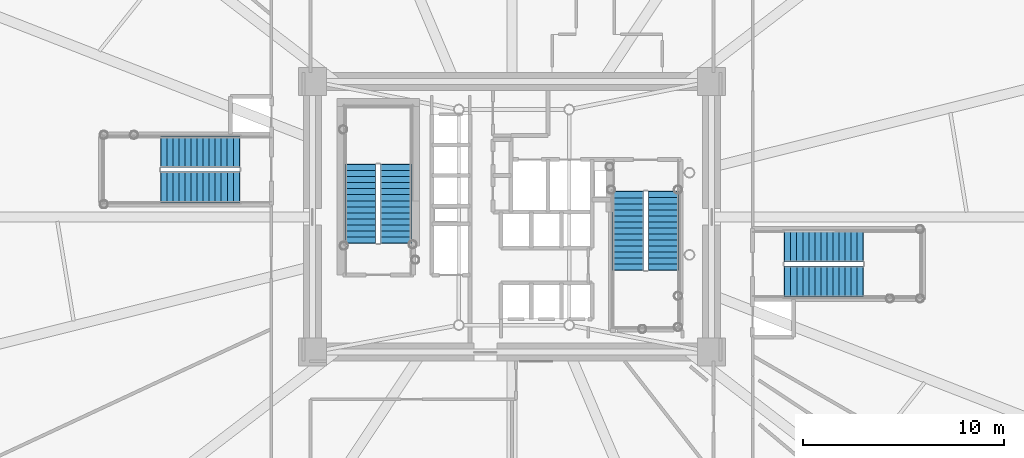
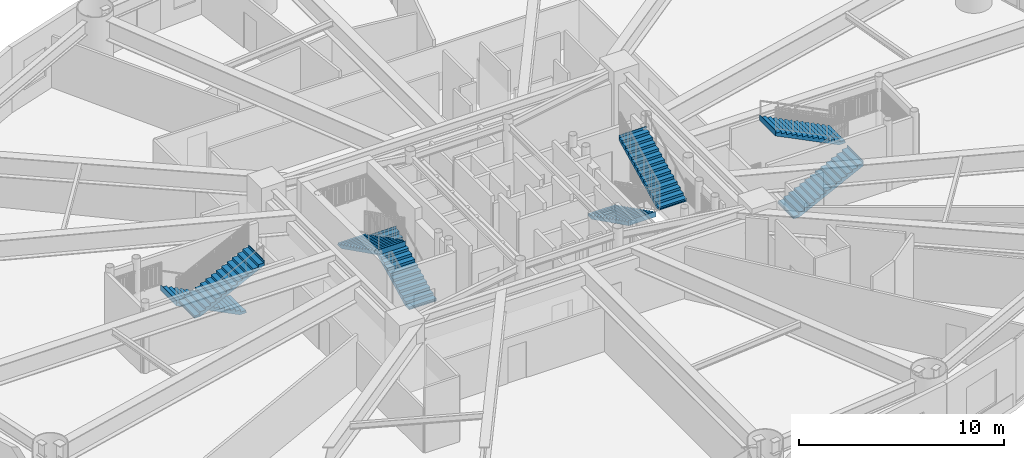
# One storey, part 17 of 27: 8 stair flights, 4 elements without a shape of their own.
"""IFC4 building model written with IfcOpenShell, lengths in metres."""

from ifc_helpers import new_model, si_unit, direction, frame, origin, place, context, subcontext, project, spatial, polyline, outline, extrude, source, transform, mapped, material, type_object, element, aggregate, save


model = new_model("IFC4")

# Units and contexts
model_context = context("Model", 3, precision=1e-05, world=origin(), true_north=direction((0.0, 1.0)))
body_context = subcontext(model_context, "Body", "Model", "MODEL_VIEW")
ifc_project = project(units=[si_unit("LENGTHUNIT", "METRE"), si_unit("AREAUNIT", "SQUARE_METRE"), si_unit("VOLUMEUNIT", "CUBIC_METRE"), si_unit("PLANEANGLEUNIT", "RADIAN"), si_unit("MASSUNIT", "GRAM", prefix="KILO")], contexts=[model_context])

# Site, building, storey
site_placement = place(None, origin())
site = spatial("IfcSite", under=ifc_project, at=site_placement, CompositionType="ELEMENT")
building_placement = place(site_placement, origin())
building = spatial("IfcBuilding", under=site, at=building_placement, Name="Linh Dai School and Residence Tower", CompositionType="ELEMENT")
storey_placement = place(building_placement, frame((0.0, 0.0, 22.800048828125)))
storey = spatial("IfcBuildingStorey", under=building, at=storey_placement, Name="L05", CompositionType="ELEMENT", Elevation=22.800048828125)

# Stair, stair flights
ifc_material = material(Name="Concrete B45 (C35/45)", Category="concrete")
stair_type = type_object("IfcStairType", Name="ST-DOG-1550-R1500", PredefinedType="HALF_TURN_STAIR", material=ifc_material)
stair_1_placement = place(storey_placement, origin())
stair_1 = element("IfcStair", 1, at=stair_1_placement, inside=storey, type_object=stair_type, Name="L05 Core Smokeproof Exit Stair ST1", PredefinedType="HALF_TURN_STAIR")
stair_flight_type = type_object("IfcStairFlightType", Name="STF-STR-1550-R1500", PredefinedType="STRAIGHT", material=ifc_material)
shared_shape = source(origin(), body_context, "Body", "SweptSolid", [
    extrude(outline(polyline([(-0.02490234375, 0.0), (-0.02490234375, 0.06005859375), (0.0, 0.06005859375), (0.0, 0.14990234375), (0.300048828125, 0.14990234375), (0.300048828125, 0.300048828125), (0.60009765625, 0.300048828125), (0.60009765625, 0.449951171875), (0.89990234375, 0.449951171875), (0.89990234375, 0.60009765625), (1.199951171875, 0.60009765625), (1.199951171875, 0.75), (1.5, 0.75), (1.5, 0.89990234375), (1.800048828125, 0.89990234375), (1.800048828125, 1.050048828125), (2.10009765625, 1.050048828125), (2.10009765625, 1.199951171875), (2.39990234375, 1.199951171875), (2.39990234375, 1.35009765625), (2.699951171875, 1.35009765625), (2.699951171875, 1.5), (3.0, 1.5), (3.0, 1.64990234375), (3.300048828125, 1.64990234375), (3.300048828125, 1.800048828125), (3.60009765625, 1.800048828125), (3.60009765625, 1.949951171875), (3.89990234375, 1.949951171875), (3.89990234375, 2.10009765625), (3.925048828125, 2.10009765625), (3.925048828125, 1.782470703125), (3.89990234375, 1.782470703125), (0.335205078125, 0.0), (-0.02490234375, 0.0)])), frame((0.0, 0.77490234375, 0.0), z_axis=(0.0, -1.0, 0.0), x_axis=(1.0, 0.0, 0.0)), (0.0, 0.0, 1.0), 1.550048828125),
])
stair_flight_1_placement = place(storey_placement, frame((30.205078125, 25.699951171875, 0.0), z_axis=(0.0, 0.0, 1.0), x_axis=(0.0, 1.0, 0.0)))
stair_flight_1 = element("IfcStairFlight", 2, at=stair_flight_1_placement, type_object=stair_flight_type, Name="ST1 flight 1", NumberOfRisers=14, NumberOfTreads=13, PredefinedType="STRAIGHT", RiserHeight=0.15, TreadLength=0.3, context=body_context, shape_type="MappedRepresentation", body=[
    mapped(shared_shape, transform((0.0, 0.0, 0.0), x_axis=(1.0, 0.0, 0.0), y_axis=(0.0, 1.0, 0.0), z_axis=(0.0, 0.0, 1.0), scale=1.0)),
])
stair_flight_2_placement = place(storey_placement, frame((28.455078125, 29.60009765625, 2.099853515625), z_axis=(0.0, 0.0, 1.0), x_axis=(0.0, -1.0, 0.0)))
stair_flight_2 = element("IfcStairFlight", 3, at=stair_flight_2_placement, type_object=stair_flight_type, Name="ST1 flight 2", NumberOfRisers=14, NumberOfTreads=13, PredefinedType="STRAIGHT", RiserHeight=0.15, TreadLength=0.3, context=body_context, shape_type="MappedRepresentation", body=[
    mapped(shared_shape, transform((0.0, 0.0, 0.0), x_axis=(1.0, 0.0, 0.0), y_axis=(0.0, 1.0, 0.0), z_axis=(0.0, 0.0, 1.0), scale=1.0)),
])
aggregate(stair_1, [stair_flight_1, stair_flight_2])

stair_2_placement = place(storey_placement, origin())
stair_2 = element("IfcStair", 4, at=stair_2_placement, inside=storey, type_object=stair_type, Name="L05 Core Smokeproof Exit Stair ST2", PredefinedType="HALF_TURN_STAIR")
stair_flight_3_placement = place(storey_placement, frame((41.794921875, 28.25, 0.0), z_axis=(0.0, 0.0, 1.0), x_axis=(0.0, -1.0, 0.0)))
stair_flight_3 = element("IfcStairFlight", 5, at=stair_flight_3_placement, type_object=stair_flight_type, Name="ST2 flight 1", NumberOfRisers=14, NumberOfTreads=13, PredefinedType="STRAIGHT", RiserHeight=0.15, TreadLength=0.3, context=body_context, shape_type="MappedRepresentation", body=[
    mapped(shared_shape, transform((0.0, 0.0, 0.0), x_axis=(1.0, 0.0, 0.0), y_axis=(0.0, 1.0, 0.0), z_axis=(0.0, 0.0, 1.0), scale=1.0)),
])
stair_flight_4_placement = place(storey_placement, frame((43.544921875, 24.35009765625, 2.099853515625), z_axis=(0.0, 0.0, 1.0), x_axis=(0.0, 1.0, 0.0)))
stair_flight_4 = element("IfcStairFlight", 6, at=stair_flight_4_placement, type_object=stair_flight_type, Name="ST2 flight 2", NumberOfRisers=14, NumberOfTreads=13, PredefinedType="STRAIGHT", RiserHeight=0.15, TreadLength=0.3, context=body_context, shape_type="MappedRepresentation", body=[
    mapped(shared_shape, transform((0.0, 0.0, 0.0), x_axis=(1.0, 0.0, 0.0), y_axis=(0.0, 1.0, 0.0), z_axis=(0.0, 0.0, 1.0), scale=1.0)),
])
aggregate(stair_2, [stair_flight_3, stair_flight_4])

stair_3_placement = place(storey_placement, origin())
stair_3 = element("IfcStair", 7, at=stair_3_placement, inside=storey, type_object=stair_type, Name="L05 School Exit Stair STS1", PredefinedType="HALF_TURN_STAIR")
stair_flight_5_placement = place(storey_placement, frame((22.39990234375, 30.22509765625, 0.0), z_axis=(0.0, 0.0, 1.0), x_axis=(-1.0, 0.0, 0.0)))
stair_flight_5 = element("IfcStairFlight", 8, at=stair_flight_5_placement, type_object=stair_flight_type, Name="STS1 flight 1", NumberOfRisers=14, NumberOfTreads=13, PredefinedType="STRAIGHT", RiserHeight=0.15, TreadLength=0.3, context=body_context, shape_type="MappedRepresentation", body=[
    mapped(shared_shape, transform((0.0, 0.0, 0.0), x_axis=(1.0, 0.0, 0.0), y_axis=(0.0, 1.0, 0.0), z_axis=(0.0, 0.0, 1.0), scale=1.0)),
])
stair_flight_6_placement = place(storey_placement, frame((18.5, 28.47509765625, 2.099853515625), z_axis=(0.0, 0.0, 1.0), x_axis=(1.0, 0.0, 0.0)))
stair_flight_6 = element("IfcStairFlight", 9, at=stair_flight_6_placement, type_object=stair_flight_type, Name="STS1 flight 2", NumberOfRisers=14, NumberOfTreads=13, PredefinedType="STRAIGHT", RiserHeight=0.15, TreadLength=0.3, context=body_context, shape_type="MappedRepresentation", body=[
    mapped(shared_shape, transform((0.0, 0.0, 0.0), x_axis=(1.0, 0.0, 0.0), y_axis=(0.0, 1.0, 0.0), z_axis=(0.0, 0.0, 1.0), scale=1.0)),
])
aggregate(stair_3, [stair_flight_5, stair_flight_6])

stair_4_placement = place(storey_placement, origin())
stair_4 = element("IfcStair", 10, at=stair_4_placement, inside=storey, type_object=stair_type, Name="L05 School Exit Stair STS2", PredefinedType="HALF_TURN_STAIR")
stair_flight_7_placement = place(storey_placement, frame((49.60009765625, 23.77490234375, 0.0), z_axis=(0.0, 0.0, 1.0), x_axis=(1.0, 0.0, 0.0)))
stair_flight_7 = element("IfcStairFlight", 11, at=stair_flight_7_placement, type_object=stair_flight_type, Name="STS2 flight 1", NumberOfRisers=14, NumberOfTreads=13, PredefinedType="STRAIGHT", RiserHeight=0.15, TreadLength=0.3, context=body_context, shape_type="MappedRepresentation", body=[
    mapped(shared_shape, transform((0.0, 0.0, 0.0), x_axis=(1.0, 0.0, 0.0), y_axis=(0.0, 1.0, 0.0), z_axis=(0.0, 0.0, 1.0), scale=1.0)),
])
stair_flight_8_placement = place(storey_placement, frame((53.5, 25.52490234375, 2.099853515625), z_axis=(0.0, 0.0, 1.0), x_axis=(-1.0, 0.0, 0.0)))
stair_flight_8 = element("IfcStairFlight", 12, at=stair_flight_8_placement, type_object=stair_flight_type, Name="STS2 flight 2", NumberOfRisers=14, NumberOfTreads=13, PredefinedType="STRAIGHT", RiserHeight=0.15, TreadLength=0.3, context=body_context, shape_type="MappedRepresentation", body=[
    mapped(shared_shape, transform((0.0, 0.0, 0.0), x_axis=(1.0, 0.0, 0.0), y_axis=(0.0, 1.0, 0.0), z_axis=(0.0, 0.0, 1.0), scale=1.0)),
])
aggregate(stair_4, [stair_flight_7, stair_flight_8])

save(model, "model.ifc")
